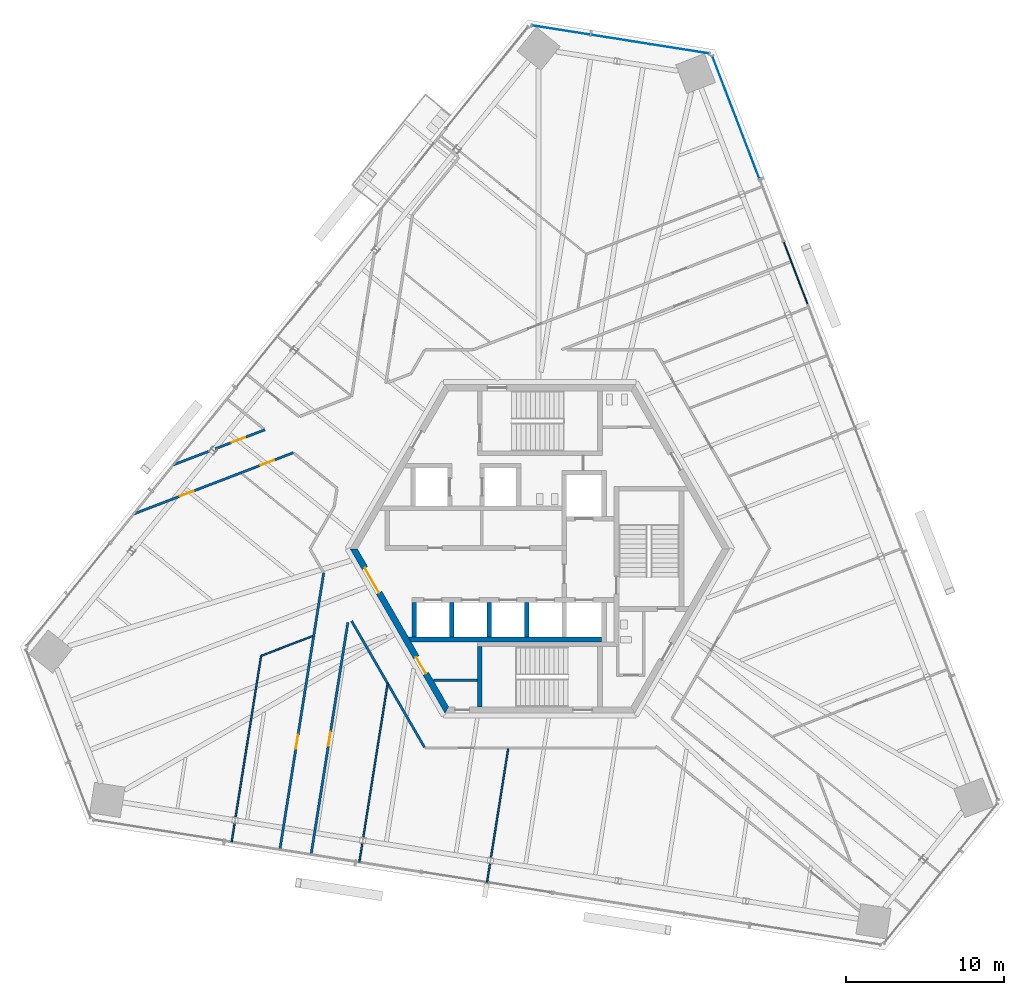
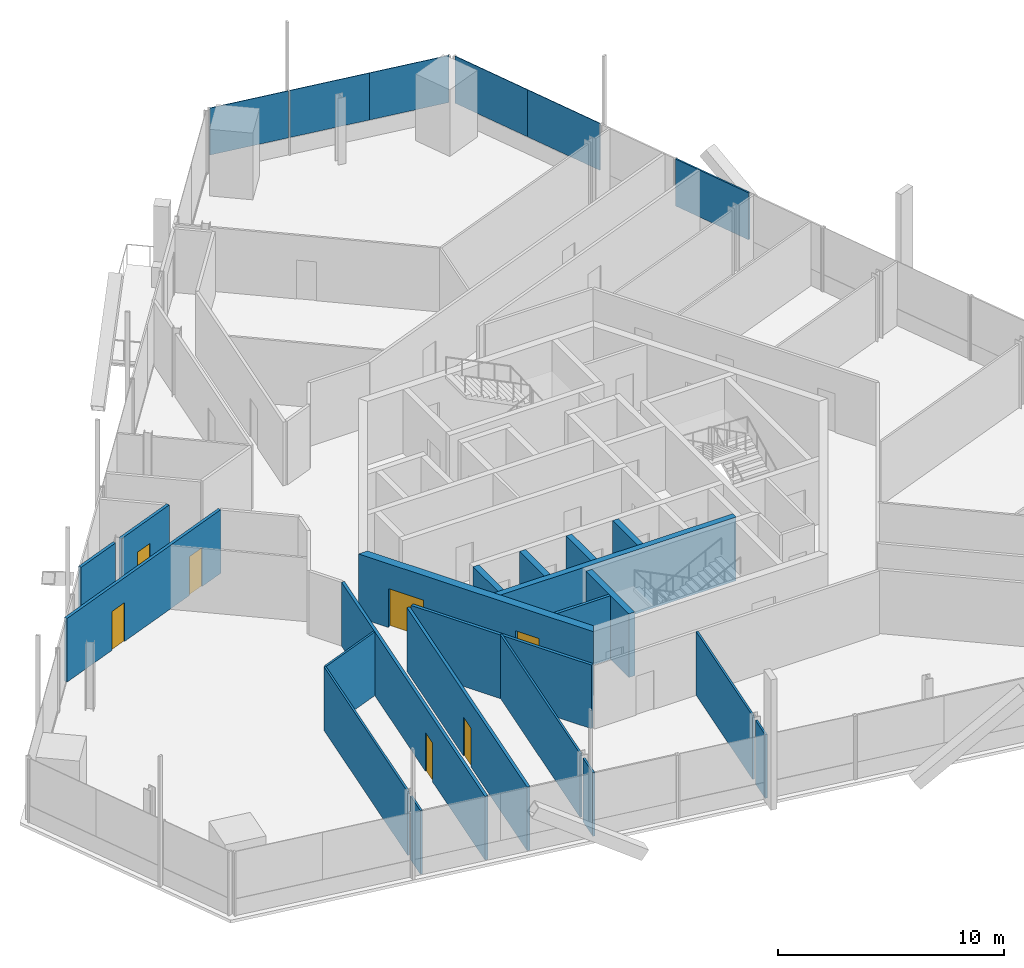
# One storey, part 11 of 21: 21 walls, 7 doors, 6 plates, 7 openings, 3 elements without a shape of their own.
"""IFC4 building model written with IfcOpenShell, lengths in metres."""

from ifc_helpers import new_model, si_unit, direction, frame, frame_2d, origin, origin_2d, place, context, subcontext, project, spatial, polyline, rectangle, outline, extrude, source, transform, mapped, material, layer, layer_set, type_object, element, fill, aggregate, save


model = new_model("IFC4")

# Units and contexts
model_context = context("Model", 3, precision=1e-05, world=origin(), true_north=direction((0.0, 1.0)))
body_context = subcontext(model_context, "Body", "Model", "MODEL_VIEW")
ifc_project = project(units=[si_unit("LENGTHUNIT", "METRE"), si_unit("AREAUNIT", "SQUARE_METRE"), si_unit("VOLUMEUNIT", "CUBIC_METRE"), si_unit("PLANEANGLEUNIT", "RADIAN"), si_unit("MASSUNIT", "GRAM", prefix="KILO")], contexts=[model_context])

# Site, building, storey
site_placement = place(None, origin())
site = spatial("IfcSite", under=ifc_project, at=site_placement, CompositionType="ELEMENT")
building_placement = place(site_placement, origin())
building = spatial("IfcBuilding", under=site, at=building_placement, Name="Triune Harvest Tower", CompositionType="ELEMENT")
storey_placement = place(building_placement, frame((0.0, 0.0, 160.5)))
storey = spatial("IfcBuildingStorey", under=building, at=storey_placement, Name="L41", CompositionType="ELEMENT", Elevation=160.5)

# Curtain wall, plates
ifc_material_1 = material(Name="Aluminium bronze anodised", Category="aluminium")
curtain_wall_type_1 = type_object("IfcCurtainWallType", Name="CW-1 Tower stick curtain wall", PredefinedType="NOTDEFINED", material=ifc_material_1)
curtain_wall_1_placement = place(storey_placement, origin())
curtain_wall_1 = element("IfcCurtainWall", 1, at=curtain_wall_1_placement, inside=storey, type_object=curtain_wall_type_1, Name="CW-1 B4-F2 L41 run 1")
ifc_material_2 = material(Name="Glass", Category="glass")
ifc_layer_1 = layer(ifc_material_2, 0.031982421875)
ifc_layer_set_1 = layer_set([ifc_layer_1], Name="Glass")
plate_type_1 = type_object("IfcPlateType", Name="GL-1 panel 32", PredefinedType="CURTAIN_PANEL", material=ifc_layer_set_1)
shared_shape_1 = source(origin(), body_context, "Body", "SweptSolid", [
    extrude(rectangle(XDim=3.74951171875, YDim=0.031982421875, at=origin_2d()), origin(), (0.0, 0.0, 1.0), 2.5400390625),
])
plate_1_placement = place(storey_placement, frame((8.841552734375, 31.614990234375, 0.89990234375), z_axis=(0.0, 0.0, 1.0), x_axis=(-0.987688615663, 0.156432728322, 0.0)))
plate_1 = element("IfcPlate", 2, at=plate_1_placement, type_object=plate_type_1, Name="CW-1 panel B4-F2 1.1", PredefinedType="CURTAIN_PANEL", context=body_context, shape_type="MappedRepresentation", body=[
    mapped(shared_shape_1, transform((0.0, 0.0, 0.0), scale=1.0)),
])
shared_shape_2 = source(origin(), body_context, "Body", "SweptSolid", [
    extrude(rectangle(XDim=3.787109375, YDim=0.031982421875, at=origin_2d()), origin(), (0.0, 0.0, 1.0), 2.5400390625),
])
plate_2_placement = place(storey_placement, frame((5.11962890625, 32.20458984375, 0.89990234375), z_axis=(0.0, 0.0, 1.0), x_axis=(-0.987688615663, 0.156432728322, 0.0)))
plate_2 = element("IfcPlate", 3, at=plate_2_placement, type_object=plate_type_1, Name="CW-1 panel B4-F2 1.2", PredefinedType="CURTAIN_PANEL", context=body_context, shape_type="MappedRepresentation", body=[
    mapped(shared_shape_2, transform((0.0, 0.0, 0.0), scale=1.0)),
])
shared_shape_3 = source(origin(), body_context, "Body", "SweptSolid", [
    extrude(rectangle(XDim=3.7119140625, YDim=0.031982421875, at=origin_2d()), origin(), (0.0, 0.0, 1.0), 2.5400390625),
])
plate_3_placement = place(storey_placement, frame((1.34228515625, 32.802734375, 0.89990234375), z_axis=(0.0, 0.0, 1.0), x_axis=(-0.987688615663, 0.156432728322, 0.0)))
plate_3 = element("IfcPlate", 4, at=plate_3_placement, type_object=plate_type_1, Name="CW-1 panel B4-F2 1.3", PredefinedType="CURTAIN_PANEL", context=body_context, shape_type="MappedRepresentation", body=[
    mapped(shared_shape_3, transform((0.0, 0.0, 0.0), scale=1.0)),
])
aggregate(curtain_wall_1, [plate_1, plate_2, plate_3])

# Curtain wall, plate
ifc_material_3 = material(Name="Aluminium bronze anodised", Category="aluminium")
curtain_wall_type_2 = type_object("IfcCurtainWallType", Name="CW-7 Tower stick curtain wall with insulated spandrel infill", PredefinedType="NOTDEFINED", material=ifc_material_3)
curtain_wall_2_placement = place(storey_placement, origin())
curtain_wall_2 = element("IfcCurtainWall", 5, at=curtain_wall_2_placement, inside=storey, type_object=curtain_wall_type_2, Name="CW-7 B4-F1 L41 run 3001")
ifc_material_4 = material(Name="Insulated spandrel panel, bronze aluminium pan", Category="aluminium")
ifc_layer_2 = layer(ifc_material_4, 0.080078125)
ifc_layer_set_2 = layer_set([ifc_layer_2], Name="Insulated spandrel panel, bronze aluminium pan")
plate_type_2 = type_object("IfcPlateType", Name="SP-1 insulated spandrel panel 80", PredefinedType="CURTAIN_PANEL", material=ifc_layer_set_2)
shared_shape_4 = source(origin(), body_context, "Body", "SweptSolid", [
    extrude(rectangle(XDim=4.168701171875, YDim=0.080078125, at=origin_2d()), origin(), (0.0, 0.0, 1.0), 2.5400390625),
])
plate_4_placement = place(storey_placement, frame((16.1708984375, 17.450927734375, 0.89990234375), z_axis=(0.0, 0.0, 1.0), x_axis=(-0.358365636212, 0.933581314499, 0.0)))
plate_4 = element("IfcPlate", 6, at=plate_4_placement, type_object=plate_type_2, Name="CW-7 panel B4-F1 3001.2", PredefinedType="CURTAIN_PANEL", context=body_context, shape_type="MappedRepresentation", body=[
    mapped(shared_shape_4, transform((0.0, 0.0, 0.0), scale=1.0)),
])
aggregate(curtain_wall_2, [plate_4])

# Curtain wall, plates
curtain_wall_3_placement = place(storey_placement, origin())
curtain_wall_3 = element("IfcCurtainWall", 7, at=curtain_wall_3_placement, inside=storey, type_object=curtain_wall_type_1, Name="CW-1 B4-F1 L41 run 4001")
shared_shape_5 = source(origin(), body_context, "Body", "SweptSolid", [
    extrude(rectangle(XDim=4.131103515625, YDim=0.031982421875, at=origin_2d()), origin(), (0.0, 0.0, 1.0), 2.5400390625),
])
plate_5_placement = place(storey_placement, frame((13.135986328125, 25.35693359375, 0.89990234375), z_axis=(0.0, 0.0, 1.0), x_axis=(-0.35837614337, 0.933577281141, 0.0)))
plate_5 = element("IfcPlate", 8, at=plate_5_placement, type_object=plate_type_1, Name="CW-1 panel B4-F1 4001.1", PredefinedType="CURTAIN_PANEL", context=body_context, shape_type="MappedRepresentation", body=[
    mapped(shared_shape_5, transform((0.0, 0.0, 0.0), scale=1.0)),
])
plate_6_placement = place(storey_placement, frame((11.655517578125, 29.213623046875, 0.89990234375), z_axis=(0.0, 0.0, 1.0), x_axis=(-0.35837614337, 0.933577281141, 0.0)))
plate_6 = element("IfcPlate", 9, at=plate_6_placement, type_object=plate_type_1, Name="CW-1 panel B4-F1 4001.2", PredefinedType="CURTAIN_PANEL", context=body_context, shape_type="MappedRepresentation", body=[
    mapped(shared_shape_5, transform((0.0, 0.0, 0.0), scale=1.0)),
])
aggregate(curtain_wall_3, [plate_5, plate_6])

# Wall, openings, doors
ifc_material_5 = material(Name="Concrete 70 MPa", Category="concrete")
ifc_layer_3 = layer(ifc_material_5, 0.39990234375)
ifc_layer_set_3 = layer_set([ifc_layer_3], Name="Concrete 70 MPa")
wall_type_1 = type_object("IfcWallType", Name="Core wall 400", PredefinedType="SHEAR", material=ifc_layer_set_3)
shared_shape_6 = source(origin(), body_context, "Body", "SweptSolid", [
    extrude(outline(polyline([(-0.115478515625, -0.199951171875), (11.884521484375, -0.199951171875), (11.653564453125, 0.199951171875), (0.115478515625, 0.199951171875), (-0.115478515625, -0.199951171875)])), origin(), (0.0, 0.0, 1.0), 3.43994140625),
])
wall_1_placement = place(storey_placement, frame((-11.76904296875, 0.0, 0.0), z_axis=(0.0, 0.0, 1.0), x_axis=(0.499996592174, -0.866027371285, 0.0)))
wall_1 = element("IfcWall", 10, at=wall_1_placement, inside=storey, type_object=wall_type_1, Name="Hexagon 3 wall", PredefinedType="SHEAR", context=body_context, shape_type="MappedRepresentation", body=[
    mapped(shared_shape_6, transform((0.0, 0.0, 0.0), scale=1.0)),
])
opening_1_placement = place(wall_1_placement, frame((1.404541015625, 0.0, 0.0)))
opening_1 = element("IfcOpeningElement", 11, at=opening_1_placement, cuts=wall_1, Name="Opening CD-LS", PredefinedType="OPENING", context=body_context, shape_type="SweptSolid", body=[
    extrude(rectangle(XDim=1.800048828125, YDim=2.10009765625, at=frame_2d((0.89990234375, 1.050048828125))), frame((0.0, 0.2099609375, 0.0), z_axis=(0.0, -1.0, 0.0), x_axis=(1.0, 0.0, 0.0)), (0.0, 0.0, 1.0), 0.419921875),
])
opening_2_placement = place(wall_1_placement, frame((7.91455078125, 0.0, 0.0)))
opening_2 = element("IfcOpeningElement", 12, at=opening_2_placement, cuts=wall_1, Name="Opening CD-SWP", PredefinedType="OPENING", context=body_context, shape_type="SweptSolid", body=[
    extrude(rectangle(XDim=1.199951171875, YDim=2.10009765625, at=frame_2d((0.60009765625, 1.050048828125))), frame((0.0, 0.2099609375, 0.0), z_axis=(0.0, -1.0, 0.0), x_axis=(1.0, 0.0, 0.0)), (0.0, 0.0, 1.0), 0.419921875),
])
ifc_material_6 = material(Name="Steel S235", Category="steel")
door_type_1 = type_object("IfcDoorType", Name="Lobby door 1800 FD120", OperationType="DOUBLE_DOOR_DOUBLE_SWING", PredefinedType="DOOR", material=ifc_material_6)
door_1_placement = place(opening_1_placement, frame((1.800048828125, 0.0, 0.0), z_axis=(0.0, 0.0, 1.0), x_axis=(-1.0, 0.0, 0.0)))
door_1 = element("IfcDoor", 13, at=door_1_placement, inside=storey, type_object=door_type_1, Name="Door CD-LS", OperationType="DOUBLE_DOOR_DOUBLE_SWING", OverallHeight=2.10009765625, OverallWidth=1.800048828125, PredefinedType="DOOR", context=body_context, shape_type="SweptSolid", body=[
    extrude(rectangle(XDim=1.800048828125, YDim=2.10009765625, at=frame_2d((0.89990234375, 1.050048828125))), frame((0.0, 0.02490234375, 0.0), z_axis=(0.0, -1.0, 0.0), x_axis=(1.0, 0.0, 0.0)), (0.0, 0.0, 1.0), 0.050048828125),
])
fill(opening_1, door_1)
ifc_material_7 = material(Name="Steel S235", Category="steel")
door_type_2 = type_object("IfcDoorType", Name="Service door 1200 FD120", OperationType="SINGLE_SWING_LEFT", PredefinedType="DOOR", material=ifc_material_7)
door_2_placement = place(opening_2_placement, frame((1.199951171875, 0.0, 0.0), z_axis=(0.0, 0.0, 1.0), x_axis=(-1.0, 0.0, 0.0)))
door_2 = element("IfcDoor", 14, at=door_2_placement, inside=storey, type_object=door_type_2, Name="Door CD-SWP", OperationType="SINGLE_SWING_RIGHT", OverallHeight=2.10009765625, OverallWidth=1.199951171875, PredefinedType="DOOR", context=body_context, shape_type="SweptSolid", body=[
    extrude(rectangle(XDim=1.199951171875, YDim=2.10009765625, at=frame_2d((0.60009765625, 1.050048828125))), frame((0.0, 0.02490234375, 0.0), z_axis=(0.0, -1.0, 0.0), x_axis=(1.0, 0.0, 0.0)), (0.0, 0.0, 1.0), 0.050048828125),
])
fill(opening_2, door_2)

# Walls
ifc_material_8 = material(Name="Concrete 70 MPa", Category="concrete")
ifc_layer_4 = layer(ifc_material_8, 0.300048828125)
ifc_layer_set_4 = layer_set([ifc_layer_4], Name="Concrete 70 MPa")
wall_type_2 = type_object("IfcWallType", Name="Core wall 300", PredefinedType="SHEAR", material=ifc_layer_set_4)
shared_shape_7 = source(origin(), body_context, "Body", "SweptSolid", [
    extrude(outline(polyline([(12.0, -0.14990234375), (-0.039794921875, -0.14990234375), (-0.212890625, 0.14990234375), (12.0, 0.14990234375), (12.0, -0.14990234375)])), origin(), (0.0, 0.0, 1.0), 3.43994140625),
])
wall_2_placement = place(storey_placement, frame((-8.10009765625, -5.739990234375, 0.0), z_axis=(0.0, 0.0, 1.0), x_axis=(1.0, 0.0, 0.0)))
element("IfcWall", 15, at=wall_2_placement, inside=storey, type_object=wall_type_2, Name="South back wall", PredefinedType="SHEAR", context=body_context, shape_type="MappedRepresentation", body=[
    mapped(shared_shape_7, transform((0.0, 0.0, 0.0), scale=1.0)),
])
shared_shape_8 = source(origin(), body_context, "Body", "SweptSolid", [
    extrude(rectangle(XDim=2.2001953125, YDim=0.300048828125, at=frame_2d((1.10009765625, 0.0))), origin(), (0.0, 0.0, 1.0), 3.43994140625),
])
for number, where, z_axis, x_axis, name in (
    (16, (-7.949951171875, -5.590087890625, 0.0), (0.0, 0.0, 1.0), (0.0, 1.0, 0.0), "South end west wall"),
    (17, (-5.574951171875, -5.590087890625, 0.0), (0.0, 0.0, 1.0), (0.0, 1.0, 0.0), "South cross 1 wall"),
    (18, (-3.199951171875, -5.590087890625, 0.0), (0.0, 0.0, 1.0), (0.0, 1.0, 0.0), "South cross 2 wall"),
    (19, (-0.824951171875, -5.590087890625, 0.0), (0.0, 0.0, 1.0), (0.0, 1.0, 0.0), "South cross 3 wall"),
):
    element("IfcWall", number, at=place(storey_placement, frame(where, z_axis=z_axis, x_axis=x_axis)), inside=storey, type_object=wall_type_2, Name=name, PredefinedType="SHEAR", context=body_context, shape_type="MappedRepresentation", body=[
        mapped(shared_shape_8, transform((0.0, 0.0, 0.0), scale=1.0)),
    ])
shared_shape_9 = source(origin(), body_context, "Body", "SweptSolid", [
    extrude(outline(polyline([(3.800048828125, -0.14990234375), (-0.00439453125, -0.14990234375), (-0.00439453125, 0.14990234375), (3.800048828125, 0.14990234375), (3.800048828125, -0.14990234375)])), origin(), (0.0, 0.0, 1.0), 3.43994140625),
])
wall_3_placement = place(storey_placement, frame((-3.800048828125, -9.989990234375, 0.0), z_axis=(0.0, 0.0, 1.0), x_axis=(0.0, 1.0, 0.0)))
element("IfcWall", 20, at=wall_3_placement, inside=storey, type_object=wall_type_2, Name="Stair s west wall", PredefinedType="SHEAR", context=body_context, shape_type="MappedRepresentation", body=[
    mapped(shared_shape_9, transform((0.0, 0.0, 0.0), scale=1.0)),
])
ifc_material_9 = material(Name="Concrete masonry unit", Category="masonry")
ifc_layer_5 = layer(ifc_material_9, 0.14990234375)
ifc_layer_set_5 = layer_set([ifc_layer_5], Name="Concrete masonry unit")
wall_type_3 = type_object("IfcWallType", Name="Block partition 150", PredefinedType="PARTITIONING", material=ifc_layer_set_5)
shared_shape_10 = source(origin(), body_context, "Body", "SweptSolid", [
    extrude(rectangle(XDim=2.777099609375, YDim=0.14990234375, at=frame_2d((1.388671875, 0.0))), origin(), (0.0, 0.0, 1.0), 3.43994140625),
])
wall_4_placement = place(storey_placement, frame((-6.72705078125, -8.300048828125, 0.0), z_axis=(0.0, 0.0, 1.0), x_axis=(1.0, 0.0, 0.0)))
element("IfcWall", 21, at=wall_4_placement, inside=storey, type_object=wall_type_3, Name="Sw part wall", PredefinedType="PARTITIONING", context=body_context, shape_type="MappedRepresentation", body=[
    mapped(shared_shape_10, transform((0.0, 0.0, 0.0), scale=1.0)),
])
ifc_material_10 = material(Name="Gypsum board on steel studs", Category="steel")
ifc_layer_6 = layer(ifc_material_10, 0.10009765625)
ifc_layer_set_6 = layer_set([ifc_layer_6], Name="Gypsum board on steel studs")
wall_type_4 = type_object("IfcWallType", Name="Partition 100 mm", PredefinedType="PARTITIONING", material=ifc_layer_set_6)
shared_shape_11 = source(origin(), body_context, "Body", "SweptSolid", [
    extrude(rectangle(XDim=1.212158203125, YDim=0.10009765625, at=frame_2d((0.60595703125, 0.0))), origin(), (0.0, 0.0, 1.0), 3.43994140625),
])
wall_5_placement = place(storey_placement, frame((-3.340087890625, -21.087890625, 0.0), z_axis=(0.0, 0.0, 1.0), x_axis=(0.156490008952, 0.987679541703, 0.0)))
element("IfcWall", 22, at=wall_5_placement, inside=storey, type_object=wall_type_4, Name="Partition L41 045", PredefinedType="PARTITIONING", context=body_context, shape_type="MappedRepresentation", body=[
    mapped(shared_shape_11, transform((0.0, 0.0, 0.0), scale=1.0)),
])
shared_shape_12 = source(origin(), body_context, "Body", "SweptSolid", [
    extrude(rectangle(XDim=1.2119140625, YDim=0.10009765625, at=frame_2d((0.60595703125, 0.0))), origin(), (0.0, 0.0, 1.0), 3.43994140625),
])
for number, where, z_axis, x_axis, name in (
    (23, (-11.414306640625, -19.808837890625, 0.0), (0.0, 0.0, 1.0), (0.15652114429, 0.987674608052, 0.0), "Partition L41 048"),
    (24, (-19.48876953125, -18.530029296875, 0.0), (0.0, 0.0, 1.0), (0.15652114429, 0.987674608052, 0.0), "Partition L41 056"),
):
    element("IfcWall", number, at=place(storey_placement, frame(where, z_axis=z_axis, x_axis=x_axis)), inside=storey, type_object=wall_type_4, Name=name, PredefinedType="PARTITIONING", context=body_context, shape_type="MappedRepresentation", body=[
        mapped(shared_shape_12, transform((0.0, 0.0, 0.0), scale=1.0)),
    ])
shared_shape_13 = source(origin(), body_context, "Body", "SweptSolid", [
    extrude(rectangle(XDim=10.345458984375, YDim=0.10009765625, at=frame_2d((5.1728515625, 0.0))), origin(), (0.0, 0.0, 1.0), 3.43994140625),
])
wall_6_placement = place(storey_placement, frame((-19.243896484375, -16.98388671875, 0.0), z_axis=(0.0, 0.0, 1.0), x_axis=(0.156437596398, 0.987687844632, 0.0)))
element("IfcWall", 25, at=wall_6_placement, inside=storey, type_object=wall_type_4, Name="Partition L41 057", PredefinedType="PARTITIONING", context=body_context, shape_type="MappedRepresentation", body=[
    mapped(shared_shape_13, transform((0.0, 0.0, 0.0), scale=1.0)),
])
ifc_material_11 = material(Name="Gypsum board on steel studs", Category="steel")
ifc_layer_7 = layer(ifc_material_11, 0.14990234375)
ifc_layer_set_7 = layer_set([ifc_layer_7], Name="Gypsum board on steel studs")
wall_type_5 = type_object("IfcWallType", Name="Fire Partition 150 mm", PredefinedType="PARTITIONING", material=ifc_layer_set_7)
shared_shape_14 = source(origin(), body_context, "Body", "SweptSolid", [
    extrude(rectangle(XDim=9.218017578125, YDim=0.14990234375, at=frame_2d((4.60888671875, 0.0))), origin(), (0.0, 0.0, 1.0), 3.43994140625),
])
wall_7_placement = place(storey_placement, frame((-11.904052734375, -4.566162109375, 0.0), z_axis=(0.0, 0.0, 1.0), x_axis=(0.499984576645, -0.86603430828, 0.0)))
element("IfcWall", 26, at=wall_7_placement, inside=storey, type_object=wall_type_5, Name="Partition L41 003", PredefinedType="PARTITIONING", context=body_context, shape_type="MappedRepresentation", body=[
    mapped(shared_shape_14, transform((0.0, 0.0, 0.0), scale=1.0)),
])
shared_shape_15 = source(origin(), body_context, "Body", "SweptSolid", [
    extrude(rectangle(XDim=3.455078125, YDim=0.10009765625, at=frame_2d((1.7275390625, 0.0))), origin(), (0.0, 0.0, 1.0), 3.43994140625),
])
wall_8_placement = place(storey_placement, frame((-17.606689453125, -6.7587890625, 0.0), z_axis=(0.0, 0.0, 1.0), x_axis=(0.933571244884, 0.358391867549, 0.0)))
element("IfcWall", 27, at=wall_8_placement, inside=storey, type_object=wall_type_4, Name="Partition L41 026", PredefinedType="PARTITIONING", context=body_context, shape_type="MappedRepresentation", body=[
    mapped(shared_shape_15, transform((0.0, 0.0, 0.0), scale=1.0)),
])
shared_shape_16 = source(origin(), body_context, "Body", "SweptSolid", [
    extrude(rectangle(XDim=6.975830078125, YDim=0.10009765625, at=frame_2d((3.48779296875, 0.0))), origin(), (0.0, 0.0, 1.0), 3.43994140625),
])
wall_9_placement = place(storey_placement, frame((-3.09521484375, -19.54150390625, 0.0), z_axis=(0.0, 0.0, 1.0), x_axis=(0.156442410167, 0.987687082178, 0.0)))
element("IfcWall", 28, at=wall_9_placement, inside=storey, type_object=wall_type_4, Name="Partition L41 046", PredefinedType="PARTITIONING", context=body_context, shape_type="MappedRepresentation", body=[
    mapped(shared_shape_16, transform((0.0, 0.0, 0.0), scale=1.0)),
])

# Wall, openings, doors
shared_shape_17 = source(origin(), body_context, "Body", "SweptSolid", [
    extrude(rectangle(XDim=10.817138671875, YDim=0.14990234375, at=frame_2d((5.40869140625, 0.0))), origin(), (0.0, 0.0, 1.0), 3.43994140625),
])
wall_10_placement = place(storey_placement, frame((-25.689697265625, 2.202392578125, 0.0), z_axis=(0.0, 0.0, 1.0), x_axis=(0.933574022647, 0.358384631699, 0.0)))
wall_10 = element("IfcWall", 29, at=wall_10_placement, inside=storey, type_object=wall_type_5, Name="Partition L41 032", PredefinedType="PARTITIONING", context=body_context, shape_type="MappedRepresentation", body=[
    mapped(shared_shape_17, transform((0.0, 0.0, 0.0), scale=1.0)),
])
opening_3_placement = place(wall_10_placement, frame((8.60205078125, 0.0, 0.0)))
opening_3 = element("IfcOpeningElement", 30, at=opening_3_placement, cuts=wall_10, Name="Opening L41-012", PredefinedType="OPENING", context=body_context, shape_type="SweptSolid", body=[
    extrude(rectangle(XDim=0.89990234375, YDim=2.10009765625, at=frame_2d((0.449951171875, 1.050048828125))), frame((0.0, 0.0849609375, 0.0), z_axis=(0.0, -1.0, 0.0), x_axis=(1.0, 0.0, 0.0)), (0.0, 0.0, 1.0), 0.169921875),
])
opening_4_placement = place(wall_10_placement, frame((3.14990234375, 0.0, 0.0)))
opening_4 = element("IfcOpeningElement", 31, at=opening_4_placement, cuts=wall_10, Name="Opening L41-013", PredefinedType="OPENING", context=body_context, shape_type="SweptSolid", body=[
    extrude(rectangle(XDim=0.89990234375, YDim=2.10009765625, at=frame_2d((0.449951171875, 1.050048828125))), frame((0.0, 0.0849609375, 0.0), z_axis=(0.0, -1.0, 0.0), x_axis=(1.0, 0.0, 0.0)), (0.0, 0.0, 1.0), 0.169921875),
])
ifc_material_12 = material(Name="Timber and steel door set", Category="steel")
door_type_3 = type_object("IfcDoorType", Name="Single leaf door FD30 left hand 900 x 2100", OperationType="SINGLE_SWING_LEFT", PredefinedType="DOOR", material=ifc_material_12)
door_3_placement = place(opening_3_placement, origin())
door_3 = element("IfcDoor", 32, at=door_3_placement, inside=storey, type_object=door_type_3, Name="Door L41-012 Meeting Room 41.12", OperationType="SINGLE_SWING_LEFT", OverallHeight=2.10009765625, OverallWidth=0.89990234375, PredefinedType="DOOR", context=body_context, shape_type="SweptSolid", body=[
    extrude(rectangle(XDim=0.89990234375, YDim=2.10009765625, at=frame_2d((0.449951171875, 1.050048828125))), frame((0.0, 0.02490234375, 0.0), z_axis=(0.0, -1.0, 0.0), x_axis=(1.0, 0.0, 0.0)), (0.0, 0.0, 1.0), 0.050048828125),
])
fill(opening_3, door_3)
ifc_material_13 = material(Name="Timber and steel door set", Category="steel")
door_type_4 = type_object("IfcDoorType", Name="Single leaf door FD30 right hand 900 x 2100", OperationType="SINGLE_SWING_RIGHT", PredefinedType="DOOR", material=ifc_material_13)
door_4_placement = place(opening_4_placement, origin())
door_4 = element("IfcDoor", 33, at=door_4_placement, inside=storey, type_object=door_type_4, Name="Door L41-013 Office 41.13", OperationType="SINGLE_SWING_RIGHT", OverallHeight=2.10009765625, OverallWidth=0.89990234375, PredefinedType="DOOR", context=body_context, shape_type="SweptSolid", body=[
    extrude(rectangle(XDim=0.89990234375, YDim=2.10009765625, at=frame_2d((0.449951171875, 1.050048828125))), frame((0.0, 0.02490234375, 0.0), z_axis=(0.0, -1.0, 0.0), x_axis=(1.0, 0.0, 0.0)), (0.0, 0.0, 1.0), 0.050048828125),
])
fill(opening_4, door_4)

# Wall
shared_shape_18 = source(origin(), body_context, "Body", "SweptSolid", [
    extrude(rectangle(XDim=2.42919921875, YDim=0.14990234375, at=frame_2d((1.214599609375, 0.0))), origin(), (0.0, 0.0, 1.0), 3.43994140625),
])
wall_11_placement = place(storey_placement, frame((-23.17236328125, 5.310791015625, 0.0), z_axis=(0.0, 0.0, 1.0), x_axis=(0.933570776574, 0.358393087443, 0.0)))
element("IfcWall", 34, at=wall_11_placement, inside=storey, type_object=wall_type_5, Name="Partition L41 034", PredefinedType="PARTITIONING", context=body_context, shape_type="MappedRepresentation", body=[
    mapped(shared_shape_18, transform((0.0, 0.0, 0.0), scale=1.0)),
])

# Wall, opening, door
shared_shape_19 = source(origin(), body_context, "Body", "SweptSolid", [
    extrude(rectangle(XDim=3.361083984375, YDim=0.14990234375, at=frame_2d((1.6806640625, 0.0))), origin(), (0.0, 0.0, 1.0), 3.43994140625),
])
wall_12_placement = place(storey_placement, frame((-20.523681640625, 6.32763671875, 0.0), z_axis=(0.0, 0.0, 1.0), x_axis=(0.933575674148, 0.358380329592, 0.0)))
wall_12 = element("IfcWall", 35, at=wall_12_placement, inside=storey, type_object=wall_type_5, Name="Partition L41 035", PredefinedType="PARTITIONING", context=body_context, shape_type="MappedRepresentation", body=[
    mapped(shared_shape_19, transform((0.0, 0.0, 0.0), scale=1.0)),
])
opening_5_placement = place(wall_12_placement, frame((1.111083984375, 0.0, 0.0)))
opening_5 = element("IfcOpeningElement", 36, at=opening_5_placement, cuts=wall_12, Name="Opening L41-014", PredefinedType="OPENING", context=body_context, shape_type="SweptSolid", body=[
    extrude(rectangle(XDim=0.89990234375, YDim=2.10009765625, at=frame_2d((0.449951171875, 1.050048828125))), frame((0.0, 0.0849609375, 0.0), z_axis=(0.0, -1.0, 0.0), x_axis=(1.0, 0.0, 0.0)), (0.0, 0.0, 1.0), 0.169921875),
])
door_5_placement = place(opening_5_placement, origin())
door_5 = element("IfcDoor", 37, at=door_5_placement, inside=storey, type_object=door_type_3, Name="Door L41-014 Meeting Room 41.14", OperationType="SINGLE_SWING_LEFT", OverallHeight=2.10009765625, OverallWidth=0.89990234375, PredefinedType="DOOR", context=body_context, shape_type="SweptSolid", body=[
    extrude(rectangle(XDim=0.89990234375, YDim=2.10009765625, at=frame_2d((0.449951171875, 1.050048828125))), frame((0.0, 0.02490234375, 0.0), z_axis=(0.0, -1.0, 0.0), x_axis=(1.0, 0.0, 0.0)), (0.0, 0.0, 1.0), 0.050048828125),
])
fill(opening_5, door_5)

# Wall
shared_shape_20 = source(origin(), body_context, "Body", "SweptSolid", [
    extrude(rectangle(XDim=9.87109375, YDim=0.10009765625, at=frame_2d((4.935546875, 0.0))), origin(), (0.0, 0.0, 1.0), 3.43994140625),
])
wall_13_placement = place(storey_placement, frame((-11.16943359375, -18.2626953125, 0.0), z_axis=(0.0, 0.0, 1.0), x_axis=(0.15643629296, 0.987688051079, 0.0)))
element("IfcWall", 38, at=wall_13_placement, inside=storey, type_object=wall_type_4, Name="Partition L41 049", PredefinedType="PARTITIONING", context=body_context, shape_type="MappedRepresentation", body=[
    mapped(shared_shape_20, transform((0.0, 0.0, 0.0), scale=1.0)),
])

# Wall, opening, door
shared_shape_21 = source(origin(), body_context, "Body", "SweptSolid", [
    extrude(rectangle(XDim=14.851806640625, YDim=0.14990234375, at=frame_2d((7.42578125, 0.0))), origin(), (0.0, 0.0, 1.0), 3.43994140625),
])
wall_14_placement = place(storey_placement, frame((-14.4638671875, -19.325927734375, 0.0), z_axis=(0.0, 0.0, 1.0), x_axis=(0.156444556385, 0.98768674223, 0.0)))
wall_14 = element("IfcWall", 39, at=wall_14_placement, inside=storey, type_object=wall_type_5, Name="Partition L41 050", PredefinedType="PARTITIONING", context=body_context, shape_type="MappedRepresentation", body=[
    mapped(shared_shape_21, transform((0.0, 0.0, 0.0), scale=1.0)),
])
opening_6_placement = place(wall_14_placement, frame((6.9501953125, 0.0, 0.0)))
opening_6 = element("IfcOpeningElement", 40, at=opening_6_placement, cuts=wall_14, Name="Opening L41-016", PredefinedType="OPENING", context=body_context, shape_type="SweptSolid", body=[
    extrude(rectangle(XDim=0.89990234375, YDim=2.10009765625, at=frame_2d((0.449951171875, 1.050048828125))), frame((0.0, 0.0849609375, 0.0), z_axis=(0.0, -1.0, 0.0), x_axis=(1.0, 0.0, 0.0)), (0.0, 0.0, 1.0), 0.169921875),
])
door_6_placement = place(opening_6_placement, origin())
door_6 = element("IfcDoor", 41, at=door_6_placement, inside=storey, type_object=door_type_4, Name="Door L41-016 Meeting Room 41.16", OperationType="SINGLE_SWING_RIGHT", OverallHeight=2.10009765625, OverallWidth=0.89990234375, PredefinedType="DOOR", context=body_context, shape_type="SweptSolid", body=[
    extrude(rectangle(XDim=0.89990234375, YDim=2.10009765625, at=frame_2d((0.449951171875, 1.050048828125))), frame((0.0, 0.02490234375, 0.0), z_axis=(0.0, -1.0, 0.0), x_axis=(1.0, 0.0, 0.0)), (0.0, 0.0, 1.0), 0.050048828125),
])
fill(opening_6, door_6)

shared_shape_22 = source(origin(), body_context, "Body", "SweptSolid", [
    extrude(rectangle(XDim=17.71875, YDim=0.14990234375, at=frame_2d((8.859375, 0.0))), origin(), (0.0, 0.0, 1.0), 3.43994140625),
])
wall_15_placement = place(storey_placement, frame((-16.439208984375, -19.012939453125, 0.0), z_axis=(0.0, 0.0, 1.0), x_axis=(0.15642812291, 0.987689345069, 0.0)))
wall_15 = element("IfcWall", 42, at=wall_15_placement, inside=storey, type_object=wall_type_5, Name="Partition L41 052", PredefinedType="PARTITIONING", context=body_context, shape_type="MappedRepresentation", body=[
    mapped(shared_shape_22, transform((0.0, 0.0, 0.0), scale=1.0)),
])
opening_7_placement = place(wall_15_placement, frame((6.443603515625, 0.0, 0.0)))
opening_7 = element("IfcOpeningElement", 43, at=opening_7_placement, cuts=wall_15, Name="Opening L41-015", PredefinedType="OPENING", context=body_context, shape_type="SweptSolid", body=[
    extrude(rectangle(XDim=0.89990234375, YDim=2.10009765625, at=frame_2d((0.449951171875, 1.050048828125))), frame((0.0, 0.0849609375, 0.0), z_axis=(0.0, -1.0, 0.0), x_axis=(1.0, 0.0, 0.0)), (0.0, 0.0, 1.0), 0.169921875),
])
door_7_placement = place(opening_7_placement, origin())
door_7 = element("IfcDoor", 44, at=door_7_placement, inside=storey, type_object=door_type_3, Name="Door L41-015 Office 41.15", OperationType="SINGLE_SWING_LEFT", OverallHeight=2.10009765625, OverallWidth=0.89990234375, PredefinedType="DOOR", context=body_context, shape_type="SweptSolid", body=[
    extrude(rectangle(XDim=0.89990234375, YDim=2.10009765625, at=frame_2d((0.449951171875, 1.050048828125))), frame((0.0, 0.02490234375, 0.0), z_axis=(0.0, -1.0, 0.0), x_axis=(1.0, 0.0, 0.0)), (0.0, 0.0, 1.0), 0.050048828125),
])
fill(opening_7, door_7)

save(model, "model.ifc")
